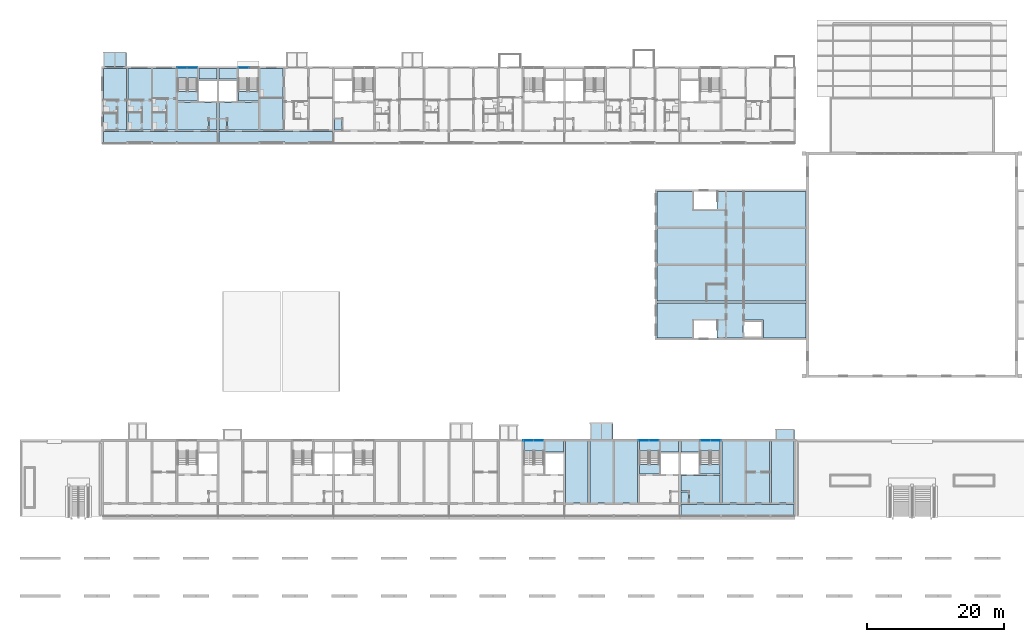
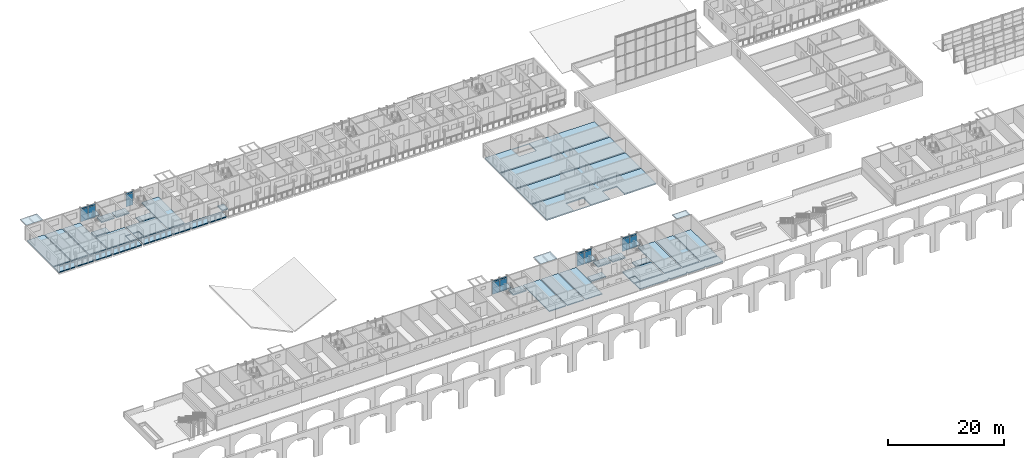
# One storey, part 43 of 122: 40 slabs, 18 plates, 9 elements without a shape of their own.
"""IFC4 building model written with IfcOpenShell, lengths in metres."""

from ifc_helpers import new_model, si_unit, direction, frame, origin, origin_2d, place, context, subcontext, project, spatial, polyline, rectangle, outline, extrude, material, layer, layer_set, type_object, element, aggregate, save


model = new_model("IFC4")

# Units and contexts
model_context = context("Model", 3, precision=1e-05, world=origin(), true_north=direction((0.0, 1.0)))
body_context = subcontext(model_context, "Body", "Model", "MODEL_VIEW")
ifc_project = project(units=[si_unit("LENGTHUNIT", "METRE"), si_unit("AREAUNIT", "SQUARE_METRE"), si_unit("VOLUMEUNIT", "CUBIC_METRE"), si_unit("PLANEANGLEUNIT", "RADIAN"), si_unit("MASSUNIT", "GRAM", prefix="KILO")], contexts=[model_context])

# Site, building, storey
site_placement = place(None, origin())
site = spatial("IfcSite", under=ifc_project, at=site_placement, CompositionType="ELEMENT")
building_placement = place(site_placement, origin())
building = spatial("IfcBuilding", under=site, at=building_placement, Name="Ridgestep Commons", CompositionType="ELEMENT")
storey_placement = place(building_placement, frame((0.0, 0.0, 3.0)))
storey = spatial("IfcBuildingStorey", under=building, at=storey_placement, Name="L01", CompositionType="ELEMENT", Elevation=3.0)

# Slabs
ifc_material_1 = material(Name="Precast concrete C50/60", Category="concrete")
ifc_layer_1 = layer(ifc_material_1, 0.25)
ifc_layer_set_1 = layer_set([ifc_layer_1], Name="Annex floor plank 250")
slab_type_1 = type_object("IfcSlabType", Name="Annex floor plank 250", PredefinedType="FLOOR", material=ifc_layer_set_1)
slab_1_placement = place(storey_placement, frame((0.0, 0.0, -0.25)))
element("IfcSlab", 1, at=slab_1_placement, inside=storey, type_object=slab_type_1, Name="Annex floor plank 250", PredefinedType="FLOOR", context=body_context, shape_type="SweptSolid", body=[
    extrude(outline(polyline([(114.39990234375, 42.875), (114.39990234375, 37.75), (108.14990234375, 37.75), (108.14990234375, 40.35009765625), (105.199951171875, 40.35009765625), (105.199951171875, 37.75), (92.699951171875, 37.75), (92.699951171875, 42.875), (114.39990234375, 42.875)]), holes=[polyline([(98.0107421875, 37.750732421875), (101.44921875, 37.750732421875), (101.44921875, 40.29931640625), (98.0107421875, 40.29931640625), (98.0107421875, 37.750732421875)])]), origin(), (0.0, 0.0, 1.0), 0.25),
])
slab_2_placement = place(storey_placement, frame((0.0, 0.0, -0.25)))
element("IfcSlab", 2, at=slab_2_placement, inside=storey, type_object=slab_type_1, Name="Annex floor plank 250", PredefinedType="FLOOR", context=body_context, shape_type="SweptSolid", body=[
    extrude(outline(polyline([(92.699951171875, 43.125), (114.39990234375, 43.125), (114.39990234375, 48.27490234375), (92.699951171875, 48.27490234375), (92.699951171875, 43.125)])), origin(), (0.0, 0.0, 1.0), 0.25),
])
slab_3_placement = place(storey_placement, frame((0.0, 0.0, -0.25)))
element("IfcSlab", 3, at=slab_3_placement, inside=storey, type_object=slab_type_1, Name="Annex floor plank 250", PredefinedType="FLOOR", context=body_context, shape_type="SweptSolid", body=[
    extrude(outline(polyline([(92.699951171875, 48.52490234375), (114.39990234375, 48.52490234375), (114.39990234375, 53.675048828125), (92.699951171875, 53.675048828125), (92.699951171875, 48.52490234375)])), origin(), (0.0, 0.0, 1.0), 0.25),
])
slab_4_placement = place(storey_placement, frame((0.0, 0.0, -0.25)))
element("IfcSlab", 4, at=slab_4_placement, inside=storey, type_object=slab_type_1, Name="Annex floor plank 250", PredefinedType="FLOOR", context=body_context, shape_type="SweptSolid", body=[
    extrude(outline(polyline([(92.699951171875, 59.050048828125), (114.39990234375, 59.050048828125), (114.39990234375, 53.925048828125), (92.699951171875, 53.925048828125), (92.699951171875, 59.050048828125)]), holes=[polyline([(98.0107421875, 59.04931640625), (98.0107421875, 56.500732421875), (101.44921875, 56.500732421875), (101.44921875, 59.04931640625), (98.0107421875, 59.04931640625)])]), origin(), (0.0, 0.0, 1.0), 0.25),
])
ifc_material_2 = material(Name="Precast concrete C40/50", Category="concrete")
ifc_layer_2 = layer(ifc_material_2, 0.199951171875)
ifc_layer_set_2 = layer_set([ifc_layer_2], Name="Gallery slab 200")
slab_type_2 = type_object("IfcSlabType", Name="Gallery slab 200", PredefinedType="FLOOR", material=ifc_layer_set_2)
slab_5_placement = place(storey_placement, frame((0.0, 0.0, -0.199951171875)))
element("IfcSlab", 5, at=slab_5_placement, inside=storey, type_object=slab_type_2, Name="Gallery slab A6 L01", PredefinedType="FLOOR", context=body_context, shape_type="SweptSolid", body=[
    extrude(outline(polyline([(112.64990234375, 13.550048828125), (96.14990234375, 13.550048828125), (96.14990234375, 11.75), (101.875, 11.75), (101.875, 12.0), (102.125, 12.0), (102.125, 11.75), (105.47509765625, 11.75), (105.47509765625, 12.0), (105.72509765625, 12.0), (105.72509765625, 11.75), (109.074951171875, 11.75), (109.074951171875, 12.0), (109.324951171875, 12.0), (109.324951171875, 11.75), (112.64990234375, 11.75), (112.64990234375, 13.550048828125)])), origin(), (0.0, 0.0, 1.0), 0.199951171875),
])
slab_6_placement = place(storey_placement, frame((0.0, 0.0, -0.199951171875)))
element("IfcSlab", 6, at=slab_6_placement, inside=storey, type_object=slab_type_2, Name="Gallery slab B1 L01", PredefinedType="FLOOR", context=body_context, shape_type="SweptSolid", body=[
    extrude(outline(polyline([(28.64990234375, 67.800048828125), (12.14990234375, 67.800048828125), (12.14990234375, 66.0), (15.47509765625, 66.0), (15.47509765625, 66.25), (15.72509765625, 66.25), (15.72509765625, 66.0), (19.074951171875, 66.0), (19.074951171875, 66.25), (19.324951171875, 66.25), (19.324951171875, 66.0), (22.675048828125, 66.0), (22.675048828125, 66.25), (22.925048828125, 66.25), (22.925048828125, 66.0), (28.64990234375, 66.0), (28.64990234375, 67.800048828125)])), origin(), (0.0, 0.0, 1.0), 0.199951171875),
])
slab_7_placement = place(storey_placement, frame((0.0, 0.0, -0.199951171875)))
element("IfcSlab", 7, at=slab_7_placement, inside=storey, type_object=slab_type_2, Name="Gallery slab B2 L01", PredefinedType="FLOOR", context=body_context, shape_type="SweptSolid", body=[
    extrude(outline(polyline([(45.449951171875, 67.800048828125), (28.949951171875, 67.800048828125), (28.949951171875, 66.0), (34.675048828125, 66.0), (34.675048828125, 66.25), (34.925048828125, 66.25), (34.925048828125, 66.0), (38.27490234375, 66.0), (38.27490234375, 66.25), (38.52490234375, 66.25), (38.52490234375, 66.0), (41.875, 66.0), (41.875, 66.25), (42.125, 66.25), (42.125, 66.0), (45.449951171875, 66.0), (45.449951171875, 67.800048828125)])), origin(), (0.0, 0.0, 1.0), 0.199951171875),
])

# Curtain wall, plates
ifc_material_3 = material(Name="Aluminium 6063-T6 and glass", Category="aluminium")
curtain_wall_type = type_object("IfcCurtainWallType", Name="Curtain wall stair strip", PredefinedType="NOTDEFINED", material=ifc_material_3)
curtain_wall_1_placement = place(storey_placement, origin())
curtain_wall_1 = element("IfcCurtainWall", 8, at=curtain_wall_1_placement, inside=storey, type_object=curtain_wall_type, Name="Curtain wall A4C level 01", PredefinedType="NOTDEFINED")
ifc_material_4 = material(Name="Glass laminated 6/16/6 low-emissivity", Category="glass")
ifc_layer_3 = layer(ifc_material_4, 0.028076171875)
ifc_layer_set_3 = layer_set([ifc_layer_3], Name="Glazing panel 28")
plate_type_1 = type_object("IfcPlateType", Name="Glazing panel 28", PredefinedType="CURTAIN_PANEL", material=ifc_layer_set_3)
plate_1_placement = place(storey_placement, frame((73.97119140625, 22.830078125, 0.06005859375), z_axis=(0.0, 0.0, 1.0), x_axis=(1.0, 0.0, 0.0)))
plate_1 = element("IfcPlate", 9, at=plate_1_placement, type_object=plate_type_1, Name="CW1 panel 1.1", PredefinedType="CURTAIN_PANEL", context=body_context, shape_type="SweptSolid", body=[
    extrude(rectangle(XDim=1.422607421875, YDim=0.028076171875, at=origin_2d()), origin(), (0.0, 0.0, 1.0), 2.5),
])
plate_2_placement = place(storey_placement, frame((75.453857421875, 22.830078125, 0.06005859375), z_axis=(0.0, 0.0, 1.0), x_axis=(1.0, 0.0, 0.0)))
plate_2 = element("IfcPlate", 10, at=plate_2_placement, type_object=plate_type_1, Name="CW1 panel 2.1", PredefinedType="CURTAIN_PANEL", context=body_context, shape_type="SweptSolid", body=[
    extrude(rectangle(XDim=1.422607421875, YDim=0.028076171875, at=origin_2d()), origin(), (0.0, 0.0, 1.0), 2.5),
])

curtain_wall_2_placement = place(storey_placement, origin())
curtain_wall_2 = element("IfcCurtainWall", 11, at=curtain_wall_2_placement, inside=storey, type_object=curtain_wall_type, Name="Curtain wall A5C level 01", PredefinedType="NOTDEFINED")
plate_3_placement = place(storey_placement, frame((90.771240234375, 22.830078125, 0.06005859375), z_axis=(0.0, 0.0, 1.0), x_axis=(1.0, 0.0, 0.0)))
plate_3 = element("IfcPlate", 12, at=plate_3_placement, type_object=plate_type_1, Name="CW1 panel 1.1", PredefinedType="CURTAIN_PANEL", context=body_context, shape_type="SweptSolid", body=[
    extrude(rectangle(XDim=1.422607421875, YDim=0.028076171875, at=origin_2d()), origin(), (0.0, 0.0, 1.0), 2.5),
])
plate_4_placement = place(storey_placement, frame((92.253662109375, 22.830078125, 0.06005859375), z_axis=(0.0, 0.0, 1.0), x_axis=(1.0, 0.0, 0.0)))
plate_4 = element("IfcPlate", 13, at=plate_4_placement, type_object=plate_type_1, Name="CW1 panel 2.1", PredefinedType="CURTAIN_PANEL", context=body_context, shape_type="SweptSolid", body=[
    extrude(rectangle(XDim=1.422607421875, YDim=0.028076171875, at=origin_2d()), origin(), (0.0, 0.0, 1.0), 2.5),
])

curtain_wall_3_placement = place(storey_placement, origin())
curtain_wall_3 = element("IfcCurtainWall", 14, at=curtain_wall_3_placement, inside=storey, type_object=curtain_wall_type, Name="Curtain wall A6C level 01", PredefinedType="NOTDEFINED")
plate_5_placement = place(storey_placement, frame((99.746337890625, 22.830078125, 0.06005859375), z_axis=(0.0, 0.0, 1.0), x_axis=(1.0, 0.0, 0.0)))
plate_5 = element("IfcPlate", 15, at=plate_5_placement, type_object=plate_type_1, Name="CW1 panel 1.1", PredefinedType="CURTAIN_PANEL", context=body_context, shape_type="SweptSolid", body=[
    extrude(rectangle(XDim=1.422607421875, YDim=0.028076171875, at=origin_2d()), origin(), (0.0, 0.0, 1.0), 2.5),
])
plate_6_placement = place(storey_placement, frame((101.228759765625, 22.830078125, 0.06005859375), z_axis=(0.0, 0.0, 1.0), x_axis=(1.0, 0.0, 0.0)))
plate_6 = element("IfcPlate", 16, at=plate_6_placement, type_object=plate_type_1, Name="CW1 panel 2.1", PredefinedType="CURTAIN_PANEL", context=body_context, shape_type="SweptSolid", body=[
    extrude(rectangle(XDim=1.422607421875, YDim=0.028076171875, at=origin_2d()), origin(), (0.0, 0.0, 1.0), 2.5),
])

curtain_wall_4_placement = place(storey_placement, origin())
curtain_wall_4 = element("IfcCurtainWall", 17, at=curtain_wall_4_placement, inside=storey, type_object=curtain_wall_type, Name="Curtain wall B1C level 01", PredefinedType="NOTDEFINED")
plate_7_placement = place(storey_placement, frame((23.5712890625, 77.080078125, 0.06005859375), z_axis=(0.0, 0.0, 1.0), x_axis=(1.0, 0.0, 0.0)))
plate_7 = element("IfcPlate", 18, at=plate_7_placement, type_object=plate_type_1, Name="CW1 panel 1.1", PredefinedType="CURTAIN_PANEL", context=body_context, shape_type="SweptSolid", body=[
    extrude(rectangle(XDim=1.422607421875, YDim=0.028076171875, at=origin_2d()), origin(), (0.0, 0.0, 1.0), 2.5),
])
plate_8_placement = place(storey_placement, frame((25.0537109375, 77.080078125, 0.06005859375), z_axis=(0.0, 0.0, 1.0), x_axis=(1.0, 0.0, 0.0)))
plate_8 = element("IfcPlate", 19, at=plate_8_placement, type_object=plate_type_1, Name="CW1 panel 2.1", PredefinedType="CURTAIN_PANEL", context=body_context, shape_type="SweptSolid", body=[
    extrude(rectangle(XDim=1.422607421875, YDim=0.028076171875, at=origin_2d()), origin(), (0.0, 0.0, 1.0), 2.5),
])

# Curtain wall, plate
curtain_wall_5_placement = place(storey_placement, origin())
curtain_wall_5 = element("IfcCurtainWall", 20, at=curtain_wall_5_placement, inside=storey, type_object=curtain_wall_type, Name="Curtain wall B2C level 01", PredefinedType="NOTDEFINED")
plate_9_placement = place(storey_placement, frame((32.546142578125, 77.080078125, 0.06005859375), z_axis=(0.0, 0.0, 1.0), x_axis=(1.0, 0.0, 0.0)))
plate_9 = element("IfcPlate", 21, at=plate_9_placement, type_object=plate_type_1, Name="CW1 panel 1.1", PredefinedType="CURTAIN_PANEL", context=body_context, shape_type="SweptSolid", body=[
    extrude(rectangle(XDim=1.422607421875, YDim=0.028076171875, at=origin_2d()), origin(), (0.0, 0.0, 1.0), 2.5),
])

# Slabs
ifc_material_5 = material(Name="Precast concrete C50/60", Category="concrete")
ifc_layer_4 = layer(ifc_material_5, 0.199951171875)
ifc_layer_set_4 = layer_set([ifc_layer_4], Name="Hollow-core plank 200")
slab_type_3 = type_object("IfcSlabType", Name="Hollow-core plank 200", PredefinedType="FLOOR", material=ifc_layer_set_4)
slab_8_placement = place(storey_placement, frame((0.0, 0.0, -0.199951171875)))
element("IfcSlab", 22, at=slab_8_placement, inside=storey, type_object=slab_type_3, Name="Floor plank A5T1 L01", PredefinedType="FLOOR", context=body_context, shape_type="SweptSolid", body=[
    extrude(outline(polyline([(82.675048828125, 13.75), (82.675048828125, 22.75), (79.35009765625, 22.75), (79.35009765625, 13.75), (82.675048828125, 13.75)])), origin(), (0.0, 0.0, 1.0), 0.199951171875),
])
slab_9_placement = place(storey_placement, frame((0.0, 0.0, -0.199951171875)))
element("IfcSlab", 23, at=slab_9_placement, inside=storey, type_object=slab_type_3, Name="Floor plank A5T2 L01", PredefinedType="FLOOR", context=body_context, shape_type="SweptSolid", body=[
    extrude(outline(polyline([(86.27490234375, 13.75), (86.27490234375, 22.75), (82.925048828125, 22.75), (82.925048828125, 13.75), (86.27490234375, 13.75)])), origin(), (0.0, 0.0, 1.0), 0.199951171875),
])
slab_10_placement = place(storey_placement, frame((0.0, 0.0, -0.199951171875)))
element("IfcSlab", 24, at=slab_10_placement, inside=storey, type_object=slab_type_3, Name="Floor plank A5T3 L01", PredefinedType="FLOOR", context=body_context, shape_type="SweptSolid", body=[
    extrude(outline(polyline([(89.875, 13.75), (89.875, 22.75), (86.52490234375, 22.75), (86.52490234375, 13.75), (89.875, 13.75)])), origin(), (0.0, 0.0, 1.0), 0.199951171875),
])
slab_11_placement = place(storey_placement, frame((0.0, 0.0, -0.199951171875)))
element("IfcSlab", 25, at=slab_11_placement, inside=storey, type_object=slab_type_3, Name="Floor plank A6T3 L01", PredefinedType="FLOOR", context=body_context, shape_type="SweptSolid", body=[
    extrude(outline(polyline([(105.47509765625, 13.75), (105.47509765625, 22.75), (102.125, 22.75), (102.125, 13.75), (105.47509765625, 13.75)])), origin(), (0.0, 0.0, 1.0), 0.199951171875),
])
slab_12_placement = place(storey_placement, frame((0.0, 0.0, -0.199951171875)))
element("IfcSlab", 26, at=slab_12_placement, inside=storey, type_object=slab_type_3, Name="Floor plank A6T2 L01", PredefinedType="FLOOR", context=body_context, shape_type="SweptSolid", body=[
    extrude(outline(polyline([(109.074951171875, 13.75), (109.074951171875, 22.75), (105.72509765625, 22.75), (105.72509765625, 13.75), (109.074951171875, 13.75)])), origin(), (0.0, 0.0, 1.0), 0.199951171875),
])
slab_13_placement = place(storey_placement, frame((0.0, 0.0, -0.199951171875)))
element("IfcSlab", 27, at=slab_13_placement, inside=storey, type_object=slab_type_3, Name="Floor plank A6T1 L01", PredefinedType="FLOOR", context=body_context, shape_type="SweptSolid", body=[
    extrude(outline(polyline([(112.64990234375, 13.75), (112.64990234375, 22.75), (109.324951171875, 22.75), (109.324951171875, 13.75), (112.64990234375, 13.75)])), origin(), (0.0, 0.0, 1.0), 0.199951171875),
])
slab_14_placement = place(storey_placement, frame((0.0, 0.0, -0.199951171875)))
element("IfcSlab", 28, at=slab_14_placement, inside=storey, type_object=slab_type_3, Name="Floor plank B1T1 L01", PredefinedType="FLOOR", context=body_context, shape_type="SweptSolid", body=[
    extrude(outline(polyline([(15.5, 68.0), (15.5, 77.0), (12.14990234375, 77.0), (12.14990234375, 68.0), (15.5, 68.0)])), origin(), (0.0, 0.0, 1.0), 0.199951171875),
])
slab_15_placement = place(storey_placement, frame((0.0, 0.0, -0.199951171875)))
element("IfcSlab", 29, at=slab_15_placement, inside=storey, type_object=slab_type_3, Name="Floor plank B1T2 L01", PredefinedType="FLOOR", context=body_context, shape_type="SweptSolid", body=[
    extrude(outline(polyline([(19.10009765625, 68.0), (19.10009765625, 77.0), (15.699951171875, 77.0), (15.699951171875, 68.0), (19.10009765625, 68.0)])), origin(), (0.0, 0.0, 1.0), 0.199951171875),
])
slab_16_placement = place(storey_placement, frame((0.0, 0.0, -0.199951171875)))
element("IfcSlab", 30, at=slab_16_placement, inside=storey, type_object=slab_type_3, Name="Floor plank B1T3 L01", PredefinedType="FLOOR", context=body_context, shape_type="SweptSolid", body=[
    extrude(outline(polyline([(22.675048828125, 68.0), (22.675048828125, 77.0), (19.300048828125, 77.0), (19.300048828125, 68.0), (22.675048828125, 68.0)])), origin(), (0.0, 0.0, 1.0), 0.199951171875),
])
slab_17_placement = place(storey_placement, frame((0.0, 0.0, -0.199951171875)))
element("IfcSlab", 31, at=slab_17_placement, inside=storey, type_object=slab_type_3, Name="Floor plank B2T3 L01", PredefinedType="FLOOR", context=body_context, shape_type="SweptSolid", body=[
    extrude(outline(polyline([(38.27490234375, 68.0), (38.27490234375, 77.0), (34.925048828125, 77.0), (34.925048828125, 68.0), (38.27490234375, 68.0)])), origin(), (0.0, 0.0, 1.0), 0.199951171875),
])
ifc_material_6 = material(Name="Precast concrete C50/60", Category="concrete")
ifc_layer_5 = layer(ifc_material_6, 0.25)
ifc_layer_set_5 = layer_set([ifc_layer_5], Name="Hollow-core plank 250")
slab_type_4 = type_object("IfcSlabType", Name="Hollow-core plank 250", PredefinedType="FLOOR", material=ifc_layer_set_5)
slab_18_placement = place(storey_placement, frame((0.0, 0.0, -0.25)))
element("IfcSlab", 32, at=slab_18_placement, inside=storey, type_object=slab_type_4, Name="Floor plank A4C L01", PredefinedType="FLOOR", context=body_context, shape_type="SweptSolid", body=[
    extrude(outline(polyline([(79.050048828125, 21.14990234375), (79.050048828125, 22.75), (76.425048828125, 22.75), (76.425048828125, 21.14990234375), (79.050048828125, 21.14990234375)])), origin(), (0.0, 0.0, 1.0), 0.25),
])
slab_19_placement = place(storey_placement, frame((0.0, 0.0, -0.25)))
element("IfcSlab", 33, at=slab_19_placement, inside=storey, type_object=slab_type_4, Name="Floor plank A5C L01", PredefinedType="FLOOR", context=body_context, shape_type="SweptSolid", body=[
    extrude(outline(polyline([(95.85009765625, 21.14990234375), (95.85009765625, 22.75), (93.22509765625, 22.75), (93.22509765625, 21.14990234375), (95.85009765625, 21.14990234375)])), origin(), (0.0, 0.0, 1.0), 0.25),
])
slab_20_placement = place(storey_placement, frame((0.0, 0.0, -0.25)))
element("IfcSlab", 34, at=slab_20_placement, inside=storey, type_object=slab_type_4, Name="Floor plank A5C L01", PredefinedType="FLOOR", context=body_context, shape_type="SweptSolid", body=[
    extrude(outline(polyline([(93.02490234375, 17.949951171875), (93.02490234375, 19.35009765625), (90.125, 19.35009765625), (90.125, 17.949951171875), (93.02490234375, 17.949951171875)])), origin(), (0.0, 0.0, 1.0), 0.25),
])
slab_21_placement = place(storey_placement, frame((0.0, 0.0, -0.25)))
element("IfcSlab", 35, at=slab_21_placement, inside=storey, type_object=slab_type_4, Name="Floor plank A6C L01", PredefinedType="FLOOR", context=body_context, shape_type="SweptSolid", body=[
    extrude(outline(polyline([(97.39990234375, 13.75), (101.875, 13.75), (101.875, 17.75), (96.14990234375, 17.75), (96.14990234375, 15.469970703125), (97.280029296875, 15.469970703125), (97.39990234375, 15.469970703125), (97.39990234375, 13.75)])), origin(), (0.0, 0.0, 1.0), 0.25),
])
slab_22_placement = place(storey_placement, frame((0.0, 0.0, -0.25)))
element("IfcSlab", 36, at=slab_22_placement, inside=storey, type_object=slab_type_4, Name="Floor plank A6C L01", PredefinedType="FLOOR", context=body_context, shape_type="SweptSolid", body=[
    extrude(outline(polyline([(98.77490234375, 22.75), (96.14990234375, 22.75), (96.14990234375, 21.14990234375), (98.77490234375, 21.14990234375), (98.77490234375, 22.75)])), origin(), (0.0, 0.0, 1.0), 0.25),
])
slab_23_placement = place(storey_placement, frame((0.0, 0.0, -0.25)))
element("IfcSlab", 37, at=slab_23_placement, inside=storey, type_object=slab_type_4, Name="Floor plank A6C L01", PredefinedType="FLOOR", context=body_context, shape_type="SweptSolid", body=[
    extrude(outline(polyline([(101.875, 17.949951171875), (101.875, 19.35009765625), (98.97509765625, 19.35009765625), (98.97509765625, 17.949951171875), (101.875, 17.949951171875)])), origin(), (0.0, 0.0, 1.0), 0.25),
])
slab_24_placement = place(storey_placement, frame((0.0, 0.0, -0.25)))
element("IfcSlab", 38, at=slab_24_placement, inside=storey, type_object=slab_type_4, Name="Floor plank A6C L01", PredefinedType="FLOOR", context=body_context, shape_type="SweptSolid", body=[
    extrude(outline(polyline([(97.280029296875, 15.35009765625), (96.14990234375, 15.35009765625), (96.14990234375, 13.75), (97.280029296875, 13.75), (97.280029296875, 15.35009765625)])), origin(), (0.0, 0.0, 1.0), 0.25),
])
slab_25_placement = place(storey_placement, frame((0.0, 0.0, -0.25)))
element("IfcSlab", 39, at=slab_25_placement, inside=storey, type_object=slab_type_4, Name="Floor plank B1C L01", PredefinedType="FLOOR", context=body_context, shape_type="SweptSolid", body=[
    extrude(outline(polyline([(27.52001953125, 69.719970703125), (28.64990234375, 69.719970703125), (28.64990234375, 72.0), (22.925048828125, 72.0), (22.925048828125, 68.0), (27.39990234375, 68.0), (27.39990234375, 69.719970703125), (27.52001953125, 69.719970703125)])), origin(), (0.0, 0.0, 1.0), 0.25),
])
slab_26_placement = place(storey_placement, frame((0.0, 0.0, -0.25)))
element("IfcSlab", 40, at=slab_26_placement, inside=storey, type_object=slab_type_4, Name="Floor plank B1C L01", PredefinedType="FLOOR", context=body_context, shape_type="SweptSolid", body=[
    extrude(outline(polyline([(28.64990234375, 75.39990234375), (28.64990234375, 77.0), (26.02490234375, 77.0), (26.02490234375, 75.39990234375), (28.64990234375, 75.39990234375)])), origin(), (0.0, 0.0, 1.0), 0.25),
])
slab_27_placement = place(storey_placement, frame((0.0, 0.0, -0.25)))
element("IfcSlab", 41, at=slab_27_placement, inside=storey, type_object=slab_type_4, Name="Floor plank B1C L01", PredefinedType="FLOOR", context=body_context, shape_type="SweptSolid", body=[
    extrude(outline(polyline([(25.824951171875, 72.199951171875), (25.824951171875, 73.60009765625), (22.925048828125, 73.60009765625), (22.925048828125, 72.199951171875), (25.824951171875, 72.199951171875)])), origin(), (0.0, 0.0, 1.0), 0.25),
])
slab_28_placement = place(storey_placement, frame((0.0, 0.0, -0.25)))
element("IfcSlab", 42, at=slab_28_placement, inside=storey, type_object=slab_type_4, Name="Floor plank B1C L01", PredefinedType="FLOOR", context=body_context, shape_type="SweptSolid", body=[
    extrude(outline(polyline([(27.52001953125, 68.0), (28.64990234375, 68.0), (28.64990234375, 69.60009765625), (27.52001953125, 69.60009765625), (27.52001953125, 68.0)])), origin(), (0.0, 0.0, 1.0), 0.25),
])
slab_29_placement = place(storey_placement, frame((0.0, 0.0, -0.25)))
element("IfcSlab", 43, at=slab_29_placement, inside=storey, type_object=slab_type_4, Name="Floor plank B2C L01", PredefinedType="FLOOR", context=body_context, shape_type="SweptSolid", body=[
    extrude(outline(polyline([(30.199951171875, 68.0), (34.675048828125, 68.0), (34.675048828125, 72.0), (28.949951171875, 72.0), (28.949951171875, 69.719970703125), (30.080078125, 69.719970703125), (30.199951171875, 69.719970703125), (30.199951171875, 68.0)])), origin(), (0.0, 0.0, 1.0), 0.25),
])
slab_30_placement = place(storey_placement, frame((0.0, 0.0, -0.25)))
element("IfcSlab", 44, at=slab_30_placement, inside=storey, type_object=slab_type_4, Name="Floor plank B2C L01", PredefinedType="FLOOR", context=body_context, shape_type="SweptSolid", body=[
    extrude(outline(polyline([(31.574951171875, 77.0), (28.949951171875, 77.0), (28.949951171875, 75.39990234375), (31.574951171875, 75.39990234375), (31.574951171875, 77.0)])), origin(), (0.0, 0.0, 1.0), 0.25),
])
slab_31_placement = place(storey_placement, frame((0.0, 0.0, -0.25)))
element("IfcSlab", 45, at=slab_31_placement, inside=storey, type_object=slab_type_4, Name="Floor plank B2C L01", PredefinedType="FLOOR", context=body_context, shape_type="SweptSolid", body=[
    extrude(outline(polyline([(34.675048828125, 72.199951171875), (34.675048828125, 73.60009765625), (31.77490234375, 73.60009765625), (31.77490234375, 72.199951171875), (34.675048828125, 72.199951171875)])), origin(), (0.0, 0.0, 1.0), 0.25),
])
slab_32_placement = place(storey_placement, frame((0.0, 0.0, -0.25)))
element("IfcSlab", 46, at=slab_32_placement, inside=storey, type_object=slab_type_4, Name="Floor plank B2C L01", PredefinedType="FLOOR", context=body_context, shape_type="SweptSolid", body=[
    extrude(outline(polyline([(30.080078125, 69.60009765625), (28.949951171875, 69.60009765625), (28.949951171875, 68.0), (30.080078125, 68.0), (30.080078125, 69.60009765625)])), origin(), (0.0, 0.0, 1.0), 0.25),
])
slab_33_placement = place(storey_placement, frame((0.0, 0.0, -0.25)))
element("IfcSlab", 47, at=slab_33_placement, inside=storey, type_object=slab_type_4, Name="Floor plank B3C L01", PredefinedType="FLOOR", context=body_context, shape_type="SweptSolid", body=[
    extrude(outline(polyline([(46.8798828125, 69.60009765625), (45.75, 69.60009765625), (45.75, 68.0), (46.8798828125, 68.0), (46.8798828125, 69.60009765625)])), origin(), (0.0, 0.0, 1.0), 0.25),
])

# Plate
ifc_material_7 = material(Name="Aluminium 6063-T6 and mineral wool", Category="aluminium")
ifc_layer_6 = layer(ifc_material_7, 0.0400390625)
ifc_layer_set_6 = layer_set([ifc_layer_6], Name="Spandrel panel 40")
plate_type_2 = type_object("IfcPlateType", Name="Spandrel panel 40", PredefinedType="CURTAIN_PANEL", material=ifc_layer_set_6)
plate_10_placement = place(storey_placement, frame((73.97119140625, 22.830078125, 2.6201171875), z_axis=(0.0, 0.0, 1.0), x_axis=(1.0, 0.0, 0.0)))
plate_10 = element("IfcPlate", 48, at=plate_10_placement, type_object=plate_type_2, Name="CW1 panel 1.2", PredefinedType="CURTAIN_PANEL", context=body_context, shape_type="SweptSolid", body=[
    extrude(rectangle(XDim=1.422607421875, YDim=0.0400390625, at=origin_2d()), origin(), (0.0, 0.0, 1.0), 0.320068359375),
])

plate_11_placement = place(storey_placement, frame((75.453857421875, 22.830078125, 2.6201171875), z_axis=(0.0, 0.0, 1.0), x_axis=(1.0, 0.0, 0.0)))
plate_11 = element("IfcPlate", 49, at=plate_11_placement, type_object=plate_type_2, Name="CW1 panel 2.2", PredefinedType="CURTAIN_PANEL", context=body_context, shape_type="SweptSolid", body=[
    extrude(rectangle(XDim=1.422607421875, YDim=0.0400390625, at=origin_2d()), origin(), (0.0, 0.0, 1.0), 0.320068359375),
])

aggregate(curtain_wall_1, [plate_1, plate_10, plate_2, plate_11])

plate_12_placement = place(storey_placement, frame((90.771240234375, 22.830078125, 2.6201171875), z_axis=(0.0, 0.0, 1.0), x_axis=(1.0, 0.0, 0.0)))
plate_12 = element("IfcPlate", 50, at=plate_12_placement, type_object=plate_type_2, Name="CW1 panel 1.2", PredefinedType="CURTAIN_PANEL", context=body_context, shape_type="SweptSolid", body=[
    extrude(rectangle(XDim=1.422607421875, YDim=0.0400390625, at=origin_2d()), origin(), (0.0, 0.0, 1.0), 0.320068359375),
])

plate_13_placement = place(storey_placement, frame((92.253662109375, 22.830078125, 2.6201171875), z_axis=(0.0, 0.0, 1.0), x_axis=(1.0, 0.0, 0.0)))
plate_13 = element("IfcPlate", 51, at=plate_13_placement, type_object=plate_type_2, Name="CW1 panel 2.2", PredefinedType="CURTAIN_PANEL", context=body_context, shape_type="SweptSolid", body=[
    extrude(rectangle(XDim=1.422607421875, YDim=0.0400390625, at=origin_2d()), origin(), (0.0, 0.0, 1.0), 0.320068359375),
])

aggregate(curtain_wall_2, [plate_3, plate_12, plate_4, plate_13])

plate_14_placement = place(storey_placement, frame((99.746337890625, 22.830078125, 2.6201171875), z_axis=(0.0, 0.0, 1.0), x_axis=(1.0, 0.0, 0.0)))
plate_14 = element("IfcPlate", 52, at=plate_14_placement, type_object=plate_type_2, Name="CW1 panel 1.2", PredefinedType="CURTAIN_PANEL", context=body_context, shape_type="SweptSolid", body=[
    extrude(rectangle(XDim=1.422607421875, YDim=0.0400390625, at=origin_2d()), origin(), (0.0, 0.0, 1.0), 0.320068359375),
])

plate_15_placement = place(storey_placement, frame((101.228759765625, 22.830078125, 2.6201171875), z_axis=(0.0, 0.0, 1.0), x_axis=(1.0, 0.0, 0.0)))
plate_15 = element("IfcPlate", 53, at=plate_15_placement, type_object=plate_type_2, Name="CW1 panel 2.2", PredefinedType="CURTAIN_PANEL", context=body_context, shape_type="SweptSolid", body=[
    extrude(rectangle(XDim=1.422607421875, YDim=0.0400390625, at=origin_2d()), origin(), (0.0, 0.0, 1.0), 0.320068359375),
])

aggregate(curtain_wall_3, [plate_5, plate_14, plate_6, plate_15])

plate_16_placement = place(storey_placement, frame((23.5712890625, 77.080078125, 2.6201171875), z_axis=(0.0, 0.0, 1.0), x_axis=(1.0, 0.0, 0.0)))
plate_16 = element("IfcPlate", 54, at=plate_16_placement, type_object=plate_type_2, Name="CW1 panel 1.2", PredefinedType="CURTAIN_PANEL", context=body_context, shape_type="SweptSolid", body=[
    extrude(rectangle(XDim=1.422607421875, YDim=0.0400390625, at=origin_2d()), origin(), (0.0, 0.0, 1.0), 0.320068359375),
])

plate_17_placement = place(storey_placement, frame((25.0537109375, 77.080078125, 2.6201171875), z_axis=(0.0, 0.0, 1.0), x_axis=(1.0, 0.0, 0.0)))
plate_17 = element("IfcPlate", 55, at=plate_17_placement, type_object=plate_type_2, Name="CW1 panel 2.2", PredefinedType="CURTAIN_PANEL", context=body_context, shape_type="SweptSolid", body=[
    extrude(rectangle(XDim=1.422607421875, YDim=0.0400390625, at=origin_2d()), origin(), (0.0, 0.0, 1.0), 0.320068359375),
])

aggregate(curtain_wall_4, [plate_7, plate_16, plate_8, plate_17])

plate_18_placement = place(storey_placement, frame((32.546142578125, 77.080078125, 2.6201171875), z_axis=(0.0, 0.0, 1.0), x_axis=(1.0, 0.0, 0.0)))
plate_18 = element("IfcPlate", 56, at=plate_18_placement, type_object=plate_type_2, Name="CW1 panel 1.2", PredefinedType="CURTAIN_PANEL", context=body_context, shape_type="SweptSolid", body=[
    extrude(rectangle(XDim=1.422607421875, YDim=0.0400390625, at=origin_2d()), origin(), (0.0, 0.0, 1.0), 0.320068359375),
])

aggregate(curtain_wall_5, [plate_9, plate_18])

# Stair, slab
ifc_material_8 = material(Name="Precast concrete C40/50", Category="concrete")
stair_type = type_object("IfcStairType", Name="Escape stair 1400", PredefinedType="HALF_TURN_STAIR", material=ifc_material_8)
stair_1_placement = place(storey_placement, origin())
stair_1 = element("IfcStair", 57, at=stair_1_placement, inside=storey, type_object=stair_type, Name="L01 Escape stair A4C", PredefinedType="HALF_TURN_STAIR")
ifc_material_9 = material(Name="Precast concrete C40/50", Category="concrete")
ifc_layer_7 = layer(ifc_material_9, 0.199951171875)
ifc_layer_set_7 = layer_set([ifc_layer_7], Name="Stair landing 200")
slab_type_5 = type_object("IfcSlabType", Name="Stair landing 200", PredefinedType="LANDING", material=ifc_layer_set_7)
slab_34_placement = place(storey_placement, frame((0.0, 0.0, 1.300048828125)))
slab_34 = element("IfcSlab", 58, at=slab_34_placement, type_object=slab_type_5, Name="A4C landing 1", PredefinedType="LANDING", context=body_context, shape_type="SweptSolid", body=[
    extrude(outline(polyline([(76.22509765625, 21.31005859375), (76.22509765625, 22.75), (73.324951171875, 22.75), (73.324951171875, 21.31005859375), (76.22509765625, 21.31005859375)])), origin(), (0.0, 0.0, 1.0), 0.199951171875),
])
aggregate(stair_1, [slab_34])

stair_2_placement = place(storey_placement, origin())
stair_2 = element("IfcStair", 59, at=stair_2_placement, inside=storey, type_object=stair_type, Name="L01 Escape stair A5C", PredefinedType="HALF_TURN_STAIR")
slab_35_placement = place(storey_placement, frame((0.0, 0.0, 1.300048828125)))
slab_35 = element("IfcSlab", 60, at=slab_35_placement, type_object=slab_type_5, Name="A5C landing 1", PredefinedType="LANDING", context=body_context, shape_type="SweptSolid", body=[
    extrude(outline(polyline([(93.02490234375, 21.31005859375), (93.02490234375, 22.75), (90.125, 22.75), (90.125, 21.31005859375), (93.02490234375, 21.31005859375)])), origin(), (0.0, 0.0, 1.0), 0.199951171875),
])
aggregate(stair_2, [slab_35])

stair_3_placement = place(storey_placement, origin())
stair_3 = element("IfcStair", 61, at=stair_3_placement, inside=storey, type_object=stair_type, Name="L01 Escape stair A6C", PredefinedType="HALF_TURN_STAIR")
slab_36_placement = place(storey_placement, frame((0.0, 0.0, 1.300048828125)))
slab_36 = element("IfcSlab", 62, at=slab_36_placement, type_object=slab_type_5, Name="A6C landing 1", PredefinedType="LANDING", context=body_context, shape_type="SweptSolid", body=[
    extrude(outline(polyline([(101.875, 21.31005859375), (101.875, 22.75), (98.97509765625, 22.75), (98.97509765625, 21.31005859375), (101.875, 21.31005859375)])), origin(), (0.0, 0.0, 1.0), 0.199951171875),
])
aggregate(stair_3, [slab_36])

stair_4_placement = place(storey_placement, origin())
stair_4 = element("IfcStair", 63, at=stair_4_placement, inside=storey, type_object=stair_type, Name="L01 Escape stair B1C", PredefinedType="HALF_TURN_STAIR")
slab_37_placement = place(storey_placement, frame((0.0, 0.0, 1.300048828125)))
slab_37 = element("IfcSlab", 64, at=slab_37_placement, type_object=slab_type_5, Name="B1C landing 1", PredefinedType="LANDING", context=body_context, shape_type="SweptSolid", body=[
    extrude(outline(polyline([(25.824951171875, 75.56005859375), (25.824951171875, 77.0), (22.925048828125, 77.0), (22.925048828125, 75.56005859375), (25.824951171875, 75.56005859375)])), origin(), (0.0, 0.0, 1.0), 0.199951171875),
])
aggregate(stair_4, [slab_37])

# Slabs
ifc_material_10 = material(Name="Weathering steel S355J2W", Category="steel")
ifc_layer_8 = layer(ifc_material_10, 0.010009765625)
ifc_layer_set_8 = layer_set([ifc_layer_8], Name="Tray 2.8 x 1.5")
slab_type_6 = type_object("IfcSlabType", Name="Tray 2.8 x 1.5", PredefinedType="FLOOR", material=ifc_layer_set_8)
slab_38_placement = place(storey_placement, frame((0.0, 0.0, 2.989990234375)))
element("IfcSlab", 65, at=slab_38_placement, inside=storey, type_object=slab_type_6, Name="Tray deck A6T1-02", PredefinedType="FLOOR", context=body_context, shape_type="SweptSolid", body=[
    extrude(outline(polyline([(109.929931640625, 23.0), (112.669921875, 23.0), (112.669921875, 24.5), (109.929931640625, 24.5), (109.929931640625, 23.0)])), origin(), (0.0, 0.0, 1.0), 0.010009765625),
])
ifc_material_11 = material(Name="Weathering steel S355J2W", Category="steel")
ifc_layer_9 = layer(ifc_material_11, 0.010009765625)
ifc_layer_set_9 = layer_set([ifc_layer_9], Name="Tray 3.4 x 2.1")
slab_type_7 = type_object("IfcSlabType", Name="Tray 3.4 x 2.1", PredefinedType="FLOOR", material=ifc_layer_set_9)
slab_39_placement = place(storey_placement, frame((0.0, 0.0, 2.989990234375)))
element("IfcSlab", 66, at=slab_39_placement, inside=storey, type_object=slab_type_7, Name="Tray deck B1T1-02", PredefinedType="FLOOR", context=body_context, shape_type="SweptSolid", body=[
    extrude(outline(polyline([(12.1298828125, 77.25), (15.469970703125, 77.25), (15.469970703125, 79.35009765625), (12.1298828125, 79.35009765625), (12.1298828125, 77.25)])), origin(), (0.0, 0.0, 1.0), 0.010009765625),
])
ifc_material_12 = material(Name="Weathering steel S355J2W", Category="steel")
ifc_layer_10 = layer(ifc_material_12, 0.010009765625)
ifc_layer_set_10 = layer_set([ifc_layer_10], Name="Tray 3.4 x 2.4")
slab_type_8 = type_object("IfcSlabType", Name="Tray 3.4 x 2.4", PredefinedType="FLOOR", material=ifc_layer_set_10)
slab_40_placement = place(storey_placement, frame((0.0, 0.0, 2.989990234375)))
element("IfcSlab", 67, at=slab_40_placement, inside=storey, type_object=slab_type_8, Name="Tray deck A5T2-02", PredefinedType="FLOOR", context=body_context, shape_type="SweptSolid", body=[
    extrude(outline(polyline([(82.929931640625, 23.0), (86.27001953125, 23.0), (86.27001953125, 25.39990234375), (82.929931640625, 25.39990234375), (82.929931640625, 23.0)])), origin(), (0.0, 0.0, 1.0), 0.010009765625),
])

save(model, "model.ifc")
